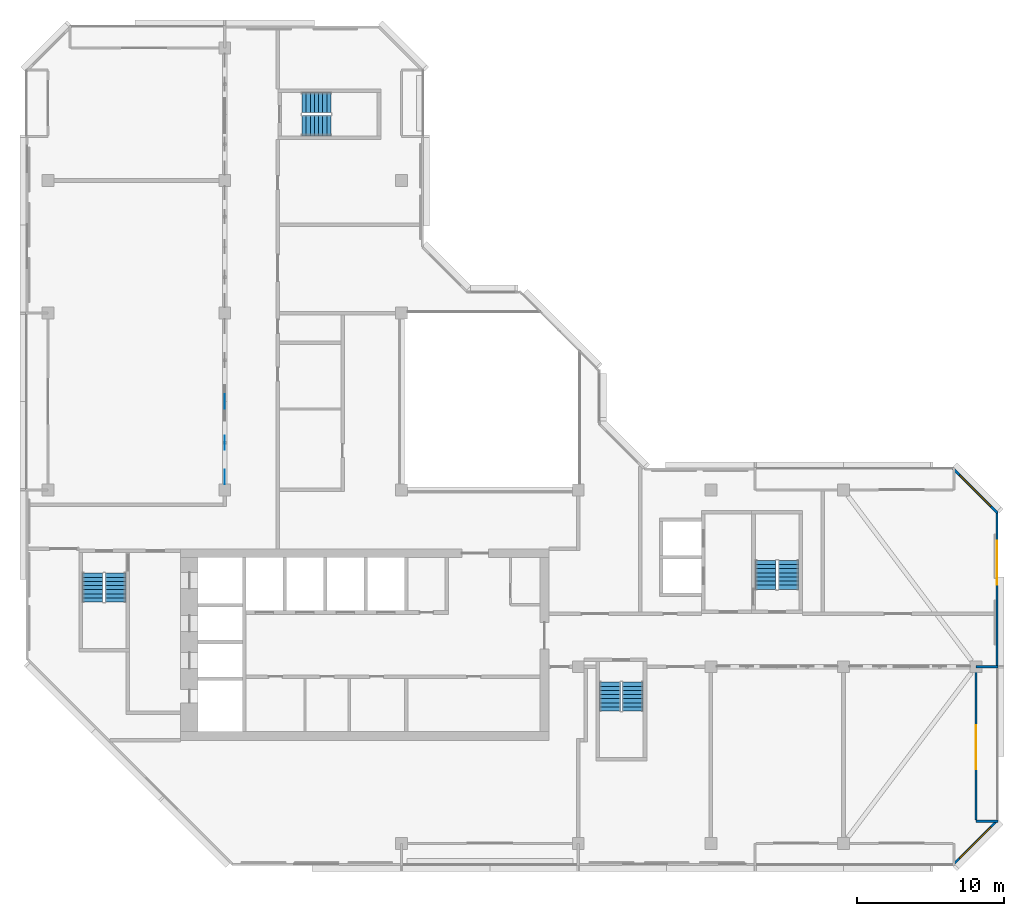
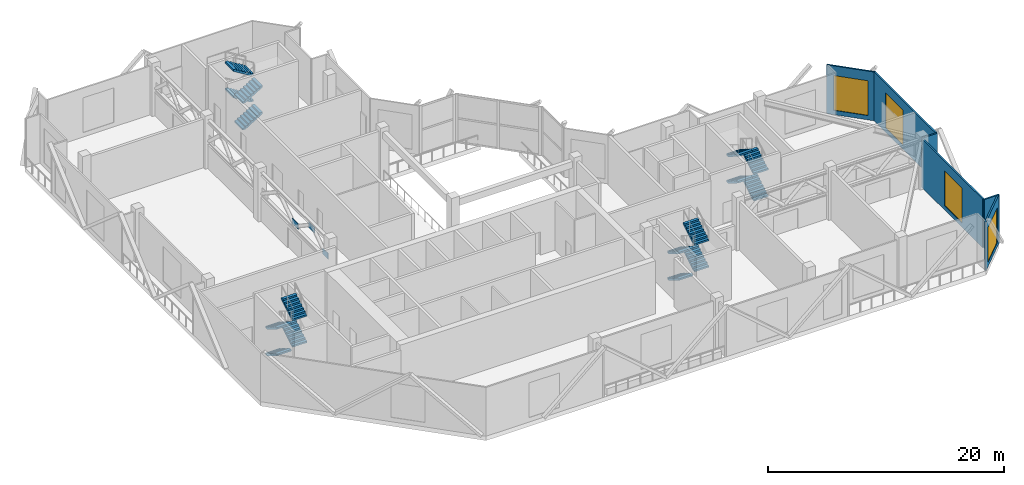
# One storey, part 9 of 13: 16 stair flights, 6 walls, 4 windows, 3 discrete accessories, 4 openings, 4 elements without a shape of their own.
"""IFC4 building model written with IfcOpenShell, lengths in metres."""

from ifc_helpers import new_model, si_unit, direction, frame, frame_2d, origin, place, context, subcontext, project, spatial, polyline, rectangle, outline, extrude, material, layer, layer_set, type_object, element, fill, aggregate, save


model = new_model("IFC4")

# Units and contexts
model_context = context("Model", 3, precision=1e-05, world=origin(), true_north=direction((0.0, 1.0)))
body_context = subcontext(model_context, "Body", "Model", "MODEL_VIEW")
ifc_project = project(units=[si_unit("LENGTHUNIT", "METRE"), si_unit("AREAUNIT", "SQUARE_METRE"), si_unit("VOLUMEUNIT", "CUBIC_METRE"), si_unit("PLANEANGLEUNIT", "RADIAN"), si_unit("MASSUNIT", "GRAM", prefix="KILO")], contexts=[model_context])

# Site, building, storey
site_placement = place(None, origin())
site = spatial("IfcSite", under=ifc_project, at=site_placement, CompositionType="ELEMENT")
building_placement = place(site_placement, origin())
building = spatial("IfcBuilding", under=site, at=building_placement, Name="Chenar Terraces", CompositionType="ELEMENT")
storey_placement = place(building_placement, frame((0.0, 0.0, 322.14990234375)))
storey = spatial("IfcBuildingStorey", under=building, at=storey_placement, Name="L76", CompositionType="ELEMENT", Elevation=322.14990234375)

# Wall, opening, window
ifc_material_1 = material(Name="Aluminium framed glazing", Category="aluminium")
ifc_layer_1 = layer(ifc_material_1, 0.14990234375)
ifc_layer_set_1 = layer_set([ifc_layer_1], Name="Aluminium framed glazing")
wall_type_1 = type_object("IfcWallType", Name="Glazed flush facade wall 150", PredefinedType="SOLIDWALL", material=ifc_layer_set_1)
wall_1_placement = place(storey_placement, frame((64.425048828125, 12.074951171875, 0.0), z_axis=(0.0, 0.0, 1.0), x_axis=(0.0, 1.0, 0.0)))
wall_1 = element("IfcWall", 1, at=wall_1_placement, inside=storey, type_object=wall_type_1, Name="Glazed flush facade wall", PredefinedType="SOLIDWALL", context=body_context, shape_type="SweptSolid", body=[
    extrude(rectangle(XDim=10.425048828125, YDim=0.14990234375, at=frame_2d((5.21240234375, 0.0))), origin(), (0.0, 0.0, 1.0), 5.050048828125),
])
opening_1_placement = place(wall_1_placement, frame((5.47509765625, 0.0, 0.449951171875)))
opening_1 = element("IfcOpeningElement", 2, at=opening_1_placement, cuts=wall_1, Name="Opening W300x360", PredefinedType="OPENING", context=body_context, shape_type="SweptSolid", body=[
    extrude(rectangle(XDim=3.0, YDim=3.60009765625, at=frame_2d((1.5, 1.800048828125))), frame((0.0, 0.0849609375, 0.0), z_axis=(0.0, -1.0, 0.0), x_axis=(1.0, 0.0, 0.0)), (0.0, 0.0, 1.0), 0.169921875),
])
ifc_material_2 = material(Name="Low emissivity double glazing, aluminium frame", Category="aluminium")
window_type = type_object("IfcWindowType", Name="Fixed light 3000 x 3600", PartitioningType="SINGLE_PANEL", PredefinedType="WINDOW", material=ifc_material_2)
window_1_placement = place(opening_1_placement, origin())
window_1 = element("IfcWindow", 3, at=window_1_placement, inside=storey, type_object=window_type, Name="Window", OverallHeight=3.60009765625, OverallWidth=3.0, PartitioningType="SINGLE_PANEL", PredefinedType="WINDOW", context=body_context, shape_type="SweptSolid", body=[
    extrude(rectangle(XDim=3.0, YDim=3.60009765625, at=frame_2d((1.5, 1.800048828125))), frame((0.0, 0.030029296875, 0.0), z_axis=(0.0, -1.0, 0.0), x_axis=(1.0, 0.0, 0.0)), (0.0, 0.0, 1.0), 0.06005859375),
])
fill(opening_1, window_1)

ifc_material_3 = material(Name="Aluminium framed glazing", Category="aluminium")
ifc_layer_2 = layer(ifc_material_3, 0.14990234375)
ifc_layer_set_2 = layer_set([ifc_layer_2], Name="Aluminium framed glazing")
wall_type_2 = type_object("IfcWallType", Name="Glazed loggia back wall 150", PredefinedType="SOLIDWALL", material=ifc_layer_set_2)
wall_2_placement = place(storey_placement, frame((63.0, 1.574951171875, 0.0), z_axis=(0.0, 0.0, 1.0), x_axis=(0.0, 1.0, 0.0)))
wall_2 = element("IfcWall", 4, at=wall_2_placement, inside=storey, type_object=wall_type_2, Name="Glazed loggia back wall", PredefinedType="SOLIDWALL", context=body_context, shape_type="SweptSolid", body=[
    extrude(rectangle(XDim=10.35009765625, YDim=0.14990234375, at=frame_2d((5.175048828125, 0.0))), origin(), (0.0, 0.0, 1.0), 5.050048828125),
])
opening_2_placement = place(wall_2_placement, frame((3.46240234375, 0.0, 0.449951171875)))
opening_2 = element("IfcOpeningElement", 5, at=opening_2_placement, cuts=wall_2, Name="Opening W300x360", PredefinedType="OPENING", context=body_context, shape_type="SweptSolid", body=[
    extrude(rectangle(XDim=3.0, YDim=3.60009765625, at=frame_2d((1.5, 1.800048828125))), frame((0.0, 0.0849609375, 0.0), z_axis=(0.0, -1.0, 0.0), x_axis=(1.0, 0.0, 0.0)), (0.0, 0.0, 1.0), 0.169921875),
])
window_2_placement = place(opening_2_placement, origin())
window_2 = element("IfcWindow", 6, at=window_2_placement, inside=storey, type_object=window_type, Name="Window", OverallHeight=3.60009765625, OverallWidth=3.0, PartitioningType="SINGLE_PANEL", PredefinedType="WINDOW", context=body_context, shape_type="SweptSolid", body=[
    extrude(rectangle(XDim=3.0, YDim=3.60009765625, at=frame_2d((1.5, 1.800048828125))), frame((0.0, 0.030029296875, 0.0), z_axis=(0.0, -1.0, 0.0), x_axis=(1.0, 0.0, 0.0)), (0.0, 0.0, 1.0), 0.06005859375),
])
fill(opening_2, window_2)

# Walls
ifc_material_4 = material(Name="Terracotta cladding on insulated backing", Category="masonry")
ifc_layer_3 = layer(ifc_material_4, 0.14990234375)
ifc_layer_set_3 = layer_set([ifc_layer_3], Name="Terracotta cladding on insulated backing")
wall_type_3 = type_object("IfcWallType", Name="Loggia return wall 150", PredefinedType="SOLIDWALL", material=ifc_layer_set_3)
for number, where, z_axis, x_axis, name in (
    (7, (64.5, 1.5, 0.0), (0.0, 0.0, 1.0), (-1.0, 0.0, 0.0), "Loggia return wall"),
    (8, (64.5, 12.0, 0.0), (0.0, 0.0, 1.0), (-1.0, 0.0, 0.0), "Loggia return wall"),
):
    element("IfcWall", number, at=place(storey_placement, frame(where, z_axis=z_axis, x_axis=x_axis)), inside=storey, type_object=wall_type_3, Name=name, PredefinedType="SOLIDWALL", context=body_context, shape_type="SweptSolid", body=[
        extrude(rectangle(XDim=1.5, YDim=0.14990234375, at=frame_2d((0.75, 0.0))), origin(), (0.0, 0.0, 1.0), 5.050048828125),
    ])

# Wall, opening, window
ifc_material_5 = material(Name="Terracotta cladding on insulated backing", Category="masonry")
ifc_layer_4 = layer(ifc_material_5, 0.14990234375)
ifc_layer_set_4 = layer_set([ifc_layer_4], Name="Terracotta cladding on insulated backing")
wall_type_4 = type_object("IfcWallType", Name="Terracotta rainscreen wall 150", PredefinedType="SOLIDWALL", material=ifc_layer_set_4)
wall_3_placement = place(storey_placement, frame((61.447021484375, -1.447021484375, 0.0), z_axis=(0.0, 0.0, 1.0), x_axis=(0.707106781187, 0.707106781187, 0.0)))
wall_3 = element("IfcWall", 9, at=wall_3_placement, inside=storey, type_object=wall_type_4, Name="Terracotta rainscreen wall", PredefinedType="SOLIDWALL", context=body_context, shape_type="SweptSolid", body=[
    extrude(rectangle(XDim=4.24267578125, YDim=0.14990234375, at=frame_2d((2.121337890625, 0.0))), origin(), (0.0, 0.0, 1.0), 5.050048828125),
])
opening_3_placement = place(wall_3_placement, frame((0.621337890625, 0.0, 0.449951171875)))
opening_3 = element("IfcOpeningElement", 10, at=opening_3_placement, cuts=wall_3, Name="Opening W300x360", PredefinedType="OPENING", context=body_context, shape_type="SweptSolid", body=[
    extrude(rectangle(XDim=3.0, YDim=3.60009765625, at=frame_2d((1.5, 1.800048828125))), frame((0.0, 0.0849609375, 0.0), z_axis=(0.0, -1.0, 0.0), x_axis=(1.0, 0.0, 0.0)), (0.0, 0.0, 1.0), 0.169921875),
])
window_3_placement = place(opening_3_placement, origin())
window_3 = element("IfcWindow", 11, at=window_3_placement, inside=storey, type_object=window_type, Name="Window", OverallHeight=3.60009765625, OverallWidth=3.0, PartitioningType="SINGLE_PANEL", PredefinedType="WINDOW", context=body_context, shape_type="SweptSolid", body=[
    extrude(rectangle(XDim=3.0, YDim=3.60009765625, at=frame_2d((1.5, 1.800048828125))), frame((0.0, 0.030029296875, 0.0), z_axis=(0.0, -1.0, 0.0), x_axis=(1.0, 0.0, 0.0)), (0.0, 0.0, 1.0), 0.06005859375),
])
fill(opening_3, window_3)

wall_4_placement = place(storey_placement, frame((64.447021484375, 22.447021484375, 0.0), z_axis=(0.0, 0.0, 1.0), x_axis=(-0.707106781187, 0.707106781187, 0.0)))
wall_4 = element("IfcWall", 12, at=wall_4_placement, inside=storey, type_object=wall_type_4, Name="Terracotta rainscreen wall", PredefinedType="SOLIDWALL", context=body_context, shape_type="SweptSolid", body=[
    extrude(rectangle(XDim=4.24267578125, YDim=0.14990234375, at=frame_2d((2.121337890625, 0.0))), origin(), (0.0, 0.0, 1.0), 5.050048828125),
])
opening_4_placement = place(wall_4_placement, frame((0.621337890625, 0.0, 0.449951171875)))
opening_4 = element("IfcOpeningElement", 13, at=opening_4_placement, cuts=wall_4, Name="Opening W300x360", PredefinedType="OPENING", context=body_context, shape_type="SweptSolid", body=[
    extrude(rectangle(XDim=3.0, YDim=3.60009765625, at=frame_2d((1.5, 1.800048828125))), frame((0.0, 0.0849609375, 0.0), z_axis=(0.0, -1.0, 0.0), x_axis=(1.0, 0.0, 0.0)), (0.0, 0.0, 1.0), 0.169921875),
])
window_4_placement = place(opening_4_placement, origin())
window_4 = element("IfcWindow", 14, at=window_4_placement, inside=storey, type_object=window_type, Name="Window", OverallHeight=3.60009765625, OverallWidth=3.0, PartitioningType="SINGLE_PANEL", PredefinedType="WINDOW", context=body_context, shape_type="SweptSolid", body=[
    extrude(rectangle(XDim=3.0, YDim=3.60009765625, at=frame_2d((1.5, 1.800048828125))), frame((0.0, 0.030029296875, 0.0), z_axis=(0.0, -1.0, 0.0), x_axis=(1.0, 0.0, 0.0)), (0.0, 0.0, 1.0), 0.06005859375),
])
fill(opening_4, window_4)

# Stair, stair flights
ifc_material_6 = material(Name="Reinforced concrete C40/50", Category="concrete")
stair_type = type_object("IfcStairType", Name="Core stair 1400 half-turn", PredefinedType="HALF_TURN_STAIR", material=ifc_material_6)
placement_1 = place(storey_placement, origin())
stair_1 = element("IfcStair", 15, at=placement_1, inside=storey, type_object=stair_type, Name="L76 Stair 1", PredefinedType="HALF_TURN_STAIR")
ifc_material_7 = material(Name="Reinforced concrete C40/50", Category="concrete")
stair_flight_type = type_object("IfcStairFlightType", Name="Core stair flight 1400", PredefinedType="STRAIGHT", material=ifc_material_7)
stair_flight_1_placement = place(storey_placement, frame((3.050048828125, 18.35009765625, 0.0), z_axis=(0.0, 0.0, 1.0), x_axis=(0.0, -1.0, 0.0)))
stair_flight_1 = element("IfcStairFlight", 16, at=stair_flight_1_placement, type_object=stair_flight_type, Name="ST1 flight 1", NumberOfRisers=8, NumberOfTreads=7, PredefinedType="STRAIGHT", RiserHeight=0.171875, TreadLength=0.28, context=body_context, shape_type="SweptSolid", body=[
    extrude(outline(polyline([(-0.0029296875, 0.0), (-0.0029296875, 0.171875), (0.0, 0.171875), (0.280029296875, 0.171875), (0.280029296875, 0.34375), (0.56005859375, 0.34375), (0.56005859375, 0.515625), (0.840087890625, 0.515625), (0.840087890625, 0.6875), (1.1201171875, 0.6875), (1.1201171875, 0.859375), (1.39990234375, 0.859375), (1.39990234375, 1.03125), (1.679931640625, 1.03125), (1.679931640625, 1.203125), (1.9599609375, 1.203125), (1.962890625, 1.203125), (1.962890625, 1.02734375), (1.9599609375, 1.02734375), (0.28662109375, 0.0), (-0.0029296875, 0.0)])), frame((0.0, 0.699951171875, 0.0), z_axis=(0.0, -1.0, 0.0), x_axis=(1.0, 0.0, 0.0)), (0.0, 0.0, 1.0), 1.39990234375),
])
stair_flight_2_placement = place(storey_placement, frame((4.60009765625, 16.389892578125, 1.375), z_axis=(0.0, 0.0, 1.0), x_axis=(0.0, 1.0, 0.0)))
stair_flight_2 = element("IfcStairFlight", 17, at=stair_flight_2_placement, type_object=stair_flight_type, Name="ST1 flight 2", NumberOfRisers=8, NumberOfTreads=7, PredefinedType="STRAIGHT", RiserHeight=0.171875, TreadLength=0.28, context=body_context, shape_type="SweptSolid", body=[
    extrude(outline(polyline([(-0.0029296875, 0.0), (-0.0029296875, 0.171875), (0.0, 0.171875), (0.280029296875, 0.171875), (0.280029296875, 0.34375), (0.56005859375, 0.34375), (0.56005859375, 0.515625), (0.840087890625, 0.515625), (0.840087890625, 0.6875), (1.1201171875, 0.6875), (1.1201171875, 0.859375), (1.39990234375, 0.859375), (1.39990234375, 1.03125), (1.679931640625, 1.03125), (1.679931640625, 1.203125), (1.9599609375, 1.203125), (1.962890625, 1.203125), (1.962890625, 1.02734375), (1.9599609375, 1.02734375), (0.28662109375, 0.0), (-0.0029296875, 0.0)])), frame((0.0, 0.699951171875, 0.0), z_axis=(0.0, -1.0, 0.0), x_axis=(1.0, 0.0, 0.0)), (0.0, 0.0, 1.0), 1.39990234375),
])
stair_flight_3_placement = place(storey_placement, frame((3.050048828125, 18.35009765625, 2.75), z_axis=(0.0, 0.0, 1.0), x_axis=(0.0, -1.0, 0.0)))
stair_flight_3 = element("IfcStairFlight", 18, at=stair_flight_3_placement, type_object=stair_flight_type, Name="ST1 flight 3", NumberOfRisers=8, NumberOfTreads=7, PredefinedType="STRAIGHT", RiserHeight=0.171875, TreadLength=0.28, context=body_context, shape_type="SweptSolid", body=[
    extrude(outline(polyline([(-0.0029296875, 0.0), (-0.0029296875, 0.171875), (0.0, 0.171875), (0.280029296875, 0.171875), (0.280029296875, 0.34375), (0.56005859375, 0.34375), (0.56005859375, 0.515625), (0.840087890625, 0.515625), (0.840087890625, 0.6875), (1.1201171875, 0.6875), (1.1201171875, 0.859375), (1.39990234375, 0.859375), (1.39990234375, 1.03125), (1.679931640625, 1.03125), (1.679931640625, 1.203125), (1.9599609375, 1.203125), (1.962890625, 1.203125), (1.962890625, 1.02734375), (1.9599609375, 1.02734375), (0.28662109375, 0.0), (-0.0029296875, 0.0)])), frame((0.0, 0.699951171875, 0.0), z_axis=(0.0, -1.0, 0.0), x_axis=(1.0, 0.0, 0.0)), (0.0, 0.0, 1.0), 1.39990234375),
])
stair_flight_4_placement = place(storey_placement, frame((4.60009765625, 16.389892578125, 4.125), z_axis=(0.0, 0.0, 1.0), x_axis=(0.0, 1.0, 0.0)))
stair_flight_4 = element("IfcStairFlight", 19, at=stair_flight_4_placement, type_object=stair_flight_type, Name="ST1 flight 4", NumberOfRisers=8, NumberOfTreads=7, PredefinedType="STRAIGHT", RiserHeight=0.171875, TreadLength=0.28, context=body_context, shape_type="SweptSolid", body=[
    extrude(outline(polyline([(-0.0029296875, 0.0), (-0.0029296875, 0.171875), (0.0, 0.171875), (0.280029296875, 0.171875), (0.280029296875, 0.34375), (0.56005859375, 0.34375), (0.56005859375, 0.515625), (0.840087890625, 0.515625), (0.840087890625, 0.6875), (1.1201171875, 0.6875), (1.1201171875, 0.859375), (1.39990234375, 0.859375), (1.39990234375, 1.03125), (1.679931640625, 1.03125), (1.679931640625, 1.203125), (1.9599609375, 1.203125), (1.962890625, 1.203125), (1.962890625, 1.02734375), (1.9599609375, 1.02734375), (0.28662109375, 0.0), (-0.0029296875, 0.0)])), frame((0.0, 0.699951171875, 0.0), z_axis=(0.0, -1.0, 0.0), x_axis=(1.0, 0.0, 0.0)), (0.0, 0.0, 1.0), 1.39990234375),
])
aggregate(stair_1, [stair_flight_1, stair_flight_2, stair_flight_3, stair_flight_4])

stair_2 = element("IfcStair", 20, at=placement_1, inside=storey, type_object=stair_type, Name="L76 Stair 2", PredefinedType="HALF_TURN_STAIR")
stair_flight_5_placement = place(storey_placement, frame((38.14990234375, 10.949951171875, 0.0), z_axis=(0.0, 0.0, 1.0), x_axis=(0.0, -1.0, 0.0)))
stair_flight_5 = element("IfcStairFlight", 21, at=stair_flight_5_placement, type_object=stair_flight_type, Name="ST2 flight 1", NumberOfRisers=8, NumberOfTreads=7, PredefinedType="STRAIGHT", RiserHeight=0.171875, TreadLength=0.28, context=body_context, shape_type="SweptSolid", body=[
    extrude(outline(polyline([(-0.0029296875, 0.0), (-0.0029296875, 0.171875), (0.0, 0.171875), (0.280029296875, 0.171875), (0.280029296875, 0.34375), (0.56005859375, 0.34375), (0.56005859375, 0.515625), (0.840087890625, 0.515625), (0.840087890625, 0.6875), (1.1201171875, 0.6875), (1.1201171875, 0.859375), (1.39990234375, 0.859375), (1.39990234375, 1.03125), (1.679931640625, 1.03125), (1.679931640625, 1.203125), (1.9599609375, 1.203125), (1.962890625, 1.203125), (1.962890625, 1.02734375), (1.9599609375, 1.02734375), (0.28662109375, 0.0), (-0.0029296875, 0.0)])), frame((0.0, 0.699951171875, 0.0), z_axis=(0.0, -1.0, 0.0), x_axis=(1.0, 0.0, 0.0)), (0.0, 0.0, 1.0), 1.39990234375),
])
stair_flight_6_placement = place(storey_placement, frame((39.699951171875, 8.989990234375, 1.375), z_axis=(0.0, 0.0, 1.0), x_axis=(0.0, 1.0, 0.0)))
stair_flight_6 = element("IfcStairFlight", 22, at=stair_flight_6_placement, type_object=stair_flight_type, Name="ST2 flight 2", NumberOfRisers=8, NumberOfTreads=7, PredefinedType="STRAIGHT", RiserHeight=0.171875, TreadLength=0.28, context=body_context, shape_type="SweptSolid", body=[
    extrude(outline(polyline([(-0.0029296875, 0.0), (-0.0029296875, 0.171875), (0.0, 0.171875), (0.280029296875, 0.171875), (0.280029296875, 0.34375), (0.56005859375, 0.34375), (0.56005859375, 0.515625), (0.840087890625, 0.515625), (0.840087890625, 0.6875), (1.1201171875, 0.6875), (1.1201171875, 0.859375), (1.39990234375, 0.859375), (1.39990234375, 1.03125), (1.679931640625, 1.03125), (1.679931640625, 1.203125), (1.9599609375, 1.203125), (1.962890625, 1.203125), (1.962890625, 1.02734375), (1.9599609375, 1.02734375), (0.28662109375, 0.0), (-0.0029296875, 0.0)])), frame((0.0, 0.699951171875, 0.0), z_axis=(0.0, -1.0, 0.0), x_axis=(1.0, 0.0, 0.0)), (0.0, 0.0, 1.0), 1.39990234375),
])
stair_flight_7_placement = place(storey_placement, frame((38.14990234375, 10.949951171875, 2.75), z_axis=(0.0, 0.0, 1.0), x_axis=(0.0, -1.0, 0.0)))
stair_flight_7 = element("IfcStairFlight", 23, at=stair_flight_7_placement, type_object=stair_flight_type, Name="ST2 flight 3", NumberOfRisers=8, NumberOfTreads=7, PredefinedType="STRAIGHT", RiserHeight=0.171875, TreadLength=0.28, context=body_context, shape_type="SweptSolid", body=[
    extrude(outline(polyline([(-0.0029296875, 0.0), (-0.0029296875, 0.171875), (0.0, 0.171875), (0.280029296875, 0.171875), (0.280029296875, 0.34375), (0.56005859375, 0.34375), (0.56005859375, 0.515625), (0.840087890625, 0.515625), (0.840087890625, 0.6875), (1.1201171875, 0.6875), (1.1201171875, 0.859375), (1.39990234375, 0.859375), (1.39990234375, 1.03125), (1.679931640625, 1.03125), (1.679931640625, 1.203125), (1.9599609375, 1.203125), (1.962890625, 1.203125), (1.962890625, 1.02734375), (1.9599609375, 1.02734375), (0.28662109375, 0.0), (-0.0029296875, 0.0)])), frame((0.0, 0.699951171875, 0.0), z_axis=(0.0, -1.0, 0.0), x_axis=(1.0, 0.0, 0.0)), (0.0, 0.0, 1.0), 1.39990234375),
])
stair_flight_8_placement = place(storey_placement, frame((39.699951171875, 8.989990234375, 4.125), z_axis=(0.0, 0.0, 1.0), x_axis=(0.0, 1.0, 0.0)))
stair_flight_8 = element("IfcStairFlight", 24, at=stair_flight_8_placement, type_object=stair_flight_type, Name="ST2 flight 4", NumberOfRisers=8, NumberOfTreads=7, PredefinedType="STRAIGHT", RiserHeight=0.171875, TreadLength=0.28, context=body_context, shape_type="SweptSolid", body=[
    extrude(outline(polyline([(-0.0029296875, 0.0), (-0.0029296875, 0.171875), (0.0, 0.171875), (0.280029296875, 0.171875), (0.280029296875, 0.34375), (0.56005859375, 0.34375), (0.56005859375, 0.515625), (0.840087890625, 0.515625), (0.840087890625, 0.6875), (1.1201171875, 0.6875), (1.1201171875, 0.859375), (1.39990234375, 0.859375), (1.39990234375, 1.03125), (1.679931640625, 1.03125), (1.679931640625, 1.203125), (1.9599609375, 1.203125), (1.962890625, 1.203125), (1.962890625, 1.02734375), (1.9599609375, 1.02734375), (0.28662109375, 0.0), (-0.0029296875, 0.0)])), frame((0.0, 0.699951171875, 0.0), z_axis=(0.0, -1.0, 0.0), x_axis=(1.0, 0.0, 0.0)), (0.0, 0.0, 1.0), 1.39990234375),
])
aggregate(stair_2, [stair_flight_5, stair_flight_6, stair_flight_7, stair_flight_8])

stair_3 = element("IfcStair", 25, at=placement_1, inside=storey, type_object=stair_type, Name="L76 Stair 3", PredefinedType="HALF_TURN_STAIR")
stair_flight_9_placement = place(storey_placement, frame((50.27490234375, 17.25, 0.0), z_axis=(0.0, 0.0, 1.0), x_axis=(0.0, 1.0, 0.0)))
stair_flight_9 = element("IfcStairFlight", 26, at=stair_flight_9_placement, type_object=stair_flight_type, Name="ST3 flight 1", NumberOfRisers=8, NumberOfTreads=7, PredefinedType="STRAIGHT", RiserHeight=0.171875, TreadLength=0.28, context=body_context, shape_type="SweptSolid", body=[
    extrude(outline(polyline([(-0.0029296875, 0.0), (-0.0029296875, 0.171875), (0.0, 0.171875), (0.280029296875, 0.171875), (0.280029296875, 0.34375), (0.56005859375, 0.34375), (0.56005859375, 0.515625), (0.840087890625, 0.515625), (0.840087890625, 0.6875), (1.1201171875, 0.6875), (1.1201171875, 0.859375), (1.39990234375, 0.859375), (1.39990234375, 1.03125), (1.679931640625, 1.03125), (1.679931640625, 1.203125), (1.9599609375, 1.203125), (1.962890625, 1.203125), (1.962890625, 1.02734375), (1.9599609375, 1.02734375), (0.28662109375, 0.0), (-0.0029296875, 0.0)])), frame((0.0, 0.699951171875, 0.0), z_axis=(0.0, -1.0, 0.0), x_axis=(1.0, 0.0, 0.0)), (0.0, 0.0, 1.0), 1.39990234375),
])
stair_flight_10_placement = place(storey_placement, frame((48.72509765625, 19.2099609375, 1.375), z_axis=(0.0, 0.0, 1.0), x_axis=(0.0, -1.0, 0.0)))
stair_flight_10 = element("IfcStairFlight", 27, at=stair_flight_10_placement, type_object=stair_flight_type, Name="ST3 flight 2", NumberOfRisers=8, NumberOfTreads=7, PredefinedType="STRAIGHT", RiserHeight=0.171875, TreadLength=0.28, context=body_context, shape_type="SweptSolid", body=[
    extrude(outline(polyline([(-0.0029296875, 0.0), (-0.0029296875, 0.171875), (0.0, 0.171875), (0.280029296875, 0.171875), (0.280029296875, 0.34375), (0.56005859375, 0.34375), (0.56005859375, 0.515625), (0.840087890625, 0.515625), (0.840087890625, 0.6875), (1.1201171875, 0.6875), (1.1201171875, 0.859375), (1.39990234375, 0.859375), (1.39990234375, 1.03125), (1.679931640625, 1.03125), (1.679931640625, 1.203125), (1.9599609375, 1.203125), (1.962890625, 1.203125), (1.962890625, 1.02734375), (1.9599609375, 1.02734375), (0.28662109375, 0.0), (-0.0029296875, 0.0)])), frame((0.0, 0.699951171875, 0.0), z_axis=(0.0, -1.0, 0.0), x_axis=(1.0, 0.0, 0.0)), (0.0, 0.0, 1.0), 1.39990234375),
])
stair_flight_11_placement = place(storey_placement, frame((50.27490234375, 17.25, 2.75), z_axis=(0.0, 0.0, 1.0), x_axis=(0.0, 1.0, 0.0)))
stair_flight_11 = element("IfcStairFlight", 28, at=stair_flight_11_placement, type_object=stair_flight_type, Name="ST3 flight 3", NumberOfRisers=8, NumberOfTreads=7, PredefinedType="STRAIGHT", RiserHeight=0.171875, TreadLength=0.28, context=body_context, shape_type="SweptSolid", body=[
    extrude(outline(polyline([(-0.0029296875, 0.0), (-0.0029296875, 0.171875), (0.0, 0.171875), (0.280029296875, 0.171875), (0.280029296875, 0.34375), (0.56005859375, 0.34375), (0.56005859375, 0.515625), (0.840087890625, 0.515625), (0.840087890625, 0.6875), (1.1201171875, 0.6875), (1.1201171875, 0.859375), (1.39990234375, 0.859375), (1.39990234375, 1.03125), (1.679931640625, 1.03125), (1.679931640625, 1.203125), (1.9599609375, 1.203125), (1.962890625, 1.203125), (1.962890625, 1.02734375), (1.9599609375, 1.02734375), (0.28662109375, 0.0), (-0.0029296875, 0.0)])), frame((0.0, 0.699951171875, 0.0), z_axis=(0.0, -1.0, 0.0), x_axis=(1.0, 0.0, 0.0)), (0.0, 0.0, 1.0), 1.39990234375),
])
stair_flight_12_placement = place(storey_placement, frame((48.72509765625, 19.2099609375, 4.125), z_axis=(0.0, 0.0, 1.0), x_axis=(0.0, -1.0, 0.0)))
stair_flight_12 = element("IfcStairFlight", 29, at=stair_flight_12_placement, type_object=stair_flight_type, Name="ST3 flight 4", NumberOfRisers=8, NumberOfTreads=7, PredefinedType="STRAIGHT", RiserHeight=0.171875, TreadLength=0.28, context=body_context, shape_type="SweptSolid", body=[
    extrude(outline(polyline([(-0.0029296875, 0.0), (-0.0029296875, 0.171875), (0.0, 0.171875), (0.280029296875, 0.171875), (0.280029296875, 0.34375), (0.56005859375, 0.34375), (0.56005859375, 0.515625), (0.840087890625, 0.515625), (0.840087890625, 0.6875), (1.1201171875, 0.6875), (1.1201171875, 0.859375), (1.39990234375, 0.859375), (1.39990234375, 1.03125), (1.679931640625, 1.03125), (1.679931640625, 1.203125), (1.9599609375, 1.203125), (1.962890625, 1.203125), (1.962890625, 1.02734375), (1.9599609375, 1.02734375), (0.28662109375, 0.0), (-0.0029296875, 0.0)])), frame((0.0, 0.699951171875, 0.0), z_axis=(0.0, -1.0, 0.0), x_axis=(1.0, 0.0, 0.0)), (0.0, 0.0, 1.0), 1.39990234375),
])
aggregate(stair_3, [stair_flight_9, stair_flight_10, stair_flight_11, stair_flight_12])

stair_4 = element("IfcStair", 30, at=placement_1, inside=storey, type_object=stair_type, Name="L76 Stair 4", PredefinedType="HALF_TURN_STAIR")
stair_flight_13_placement = place(storey_placement, frame((17.25, 48.72509765625, 0.0), z_axis=(0.0, 0.0, 1.0), x_axis=(1.0, 0.0, 0.0)))
stair_flight_13 = element("IfcStairFlight", 31, at=stair_flight_13_placement, type_object=stair_flight_type, Name="ST4 flight 1", NumberOfRisers=8, NumberOfTreads=7, PredefinedType="STRAIGHT", RiserHeight=0.171875, TreadLength=0.28, context=body_context, shape_type="SweptSolid", body=[
    extrude(outline(polyline([(-0.0029296875, 0.0), (-0.0029296875, 0.171875), (0.0, 0.171875), (0.280029296875, 0.171875), (0.280029296875, 0.34375), (0.56005859375, 0.34375), (0.56005859375, 0.515625), (0.840087890625, 0.515625), (0.840087890625, 0.6875), (1.1201171875, 0.6875), (1.1201171875, 0.859375), (1.39990234375, 0.859375), (1.39990234375, 1.03125), (1.679931640625, 1.03125), (1.679931640625, 1.203125), (1.9599609375, 1.203125), (1.962890625, 1.203125), (1.962890625, 1.02734375), (1.9599609375, 1.02734375), (0.28662109375, 0.0), (-0.0029296875, 0.0)])), frame((0.0, 0.699951171875, 0.0), z_axis=(0.0, -1.0, 0.0), x_axis=(1.0, 0.0, 0.0)), (0.0, 0.0, 1.0), 1.39990234375),
])
stair_flight_14_placement = place(storey_placement, frame((19.2099609375, 50.27490234375, 1.375), z_axis=(0.0, 0.0, 1.0), x_axis=(-1.0, 0.0, 0.0)))
stair_flight_14 = element("IfcStairFlight", 32, at=stair_flight_14_placement, type_object=stair_flight_type, Name="ST4 flight 2", NumberOfRisers=8, NumberOfTreads=7, PredefinedType="STRAIGHT", RiserHeight=0.171875, TreadLength=0.28, context=body_context, shape_type="SweptSolid", body=[
    extrude(outline(polyline([(-0.0029296875, 0.0), (-0.0029296875, 0.171875), (0.0, 0.171875), (0.280029296875, 0.171875), (0.280029296875, 0.34375), (0.56005859375, 0.34375), (0.56005859375, 0.515625), (0.840087890625, 0.515625), (0.840087890625, 0.6875), (1.1201171875, 0.6875), (1.1201171875, 0.859375), (1.39990234375, 0.859375), (1.39990234375, 1.03125), (1.679931640625, 1.03125), (1.679931640625, 1.203125), (1.9599609375, 1.203125), (1.962890625, 1.203125), (1.962890625, 1.02734375), (1.9599609375, 1.02734375), (0.28662109375, 0.0), (-0.0029296875, 0.0)])), frame((0.0, 0.699951171875, 0.0), z_axis=(0.0, -1.0, 0.0), x_axis=(1.0, 0.0, 0.0)), (0.0, 0.0, 1.0), 1.39990234375),
])
stair_flight_15_placement = place(storey_placement, frame((17.25, 48.72509765625, 2.75), z_axis=(0.0, 0.0, 1.0), x_axis=(1.0, 0.0, 0.0)))
stair_flight_15 = element("IfcStairFlight", 33, at=stair_flight_15_placement, type_object=stair_flight_type, Name="ST4 flight 3", NumberOfRisers=8, NumberOfTreads=7, PredefinedType="STRAIGHT", RiserHeight=0.171875, TreadLength=0.28, context=body_context, shape_type="SweptSolid", body=[
    extrude(outline(polyline([(-0.0029296875, 0.0), (-0.0029296875, 0.171875), (0.0, 0.171875), (0.280029296875, 0.171875), (0.280029296875, 0.34375), (0.56005859375, 0.34375), (0.56005859375, 0.515625), (0.840087890625, 0.515625), (0.840087890625, 0.6875), (1.1201171875, 0.6875), (1.1201171875, 0.859375), (1.39990234375, 0.859375), (1.39990234375, 1.03125), (1.679931640625, 1.03125), (1.679931640625, 1.203125), (1.9599609375, 1.203125), (1.962890625, 1.203125), (1.962890625, 1.02734375), (1.9599609375, 1.02734375), (0.28662109375, 0.0), (-0.0029296875, 0.0)])), frame((0.0, 0.699951171875, 0.0), z_axis=(0.0, -1.0, 0.0), x_axis=(1.0, 0.0, 0.0)), (0.0, 0.0, 1.0), 1.39990234375),
])
stair_flight_16_placement = place(storey_placement, frame((19.2099609375, 50.27490234375, 4.125), z_axis=(0.0, 0.0, 1.0), x_axis=(-1.0, 0.0, 0.0)))
stair_flight_16 = element("IfcStairFlight", 34, at=stair_flight_16_placement, type_object=stair_flight_type, Name="ST4 flight 4", NumberOfRisers=8, NumberOfTreads=7, PredefinedType="STRAIGHT", RiserHeight=0.171875, TreadLength=0.28, context=body_context, shape_type="SweptSolid", body=[
    extrude(outline(polyline([(-0.0029296875, 0.0), (-0.0029296875, 0.171875), (0.0, 0.171875), (0.280029296875, 0.171875), (0.280029296875, 0.34375), (0.56005859375, 0.34375), (0.56005859375, 0.515625), (0.840087890625, 0.515625), (0.840087890625, 0.6875), (1.1201171875, 0.6875), (1.1201171875, 0.859375), (1.39990234375, 0.859375), (1.39990234375, 1.03125), (1.679931640625, 1.03125), (1.679931640625, 1.203125), (1.9599609375, 1.203125), (1.962890625, 1.203125), (1.962890625, 1.02734375), (1.9599609375, 1.02734375), (0.28662109375, 0.0), (-0.0029296875, 0.0)])), frame((0.0, 0.699951171875, 0.0), z_axis=(0.0, -1.0, 0.0), x_axis=(1.0, 0.0, 0.0)), (0.0, 0.0, 1.0), 1.39990234375),
])
aggregate(stair_4, [stair_flight_13, stair_flight_14, stair_flight_15, stair_flight_16])

# Discrete accessories
ifc_material_8 = material(Name="Structural steel S355", Category="steel")
ifc_layer_5 = layer(ifc_material_8, 0.02490234375)
ifc_layer_set_5 = layer_set([ifc_layer_5], Name="Structural steel S355")
discrete_accessory_type = type_object("IfcDiscreteAccessoryType", Name="Gusset plate 25 S355", PredefinedType="BRACKET", material=ifc_layer_set_5)
placement_2 = place(storey_placement, frame((0.0, 0.0, 2.800048828125)))
element("IfcDiscreteAccessory", 35, at=placement_2, inside=storey, type_object=discrete_accessory_type, Name="Gusset plate L76 B1 node 0", PredefinedType="BRACKET", context=body_context, shape_type="SweptSolid", body=[
    extrude(outline(polyline([(12.012451171875, 24.39990234375), (12.012451171875, 25.381103515625), (11.987548828125, 25.381103515625), (11.987548828125, 24.39990234375), (12.012451171875, 24.39990234375)])), origin(), (0.0, 0.0, 1.0), 0.610107421875),
])
discrete_accessory_2_placement = place(storey_placement, frame((0.0, 0.0, 4.090087890625)))
element("IfcDiscreteAccessory", 36, at=discrete_accessory_2_placement, inside=storey, type_object=discrete_accessory_type, Name="Gusset plate L76 B1 node 1", PredefinedType="BRACKET", context=body_context, shape_type="SweptSolid", body=[
    extrude(outline(polyline([(12.012451171875, 26.70947265625), (12.012451171875, 27.6904296875), (11.987548828125, 27.6904296875), (11.987548828125, 26.70947265625), (12.012451171875, 26.70947265625)])), origin(), (0.0, 0.0, 1.0), 0.610107421875),
])
element("IfcDiscreteAccessory", 37, at=placement_2, inside=storey, type_object=discrete_accessory_type, Name="Gusset plate L76 B1 node 2", PredefinedType="BRACKET", context=body_context, shape_type="SweptSolid", body=[
    extrude(outline(polyline([(12.012451171875, 29.509521484375), (12.012451171875, 30.490478515625), (11.987548828125, 30.490478515625), (11.987548828125, 29.509521484375), (12.012451171875, 29.509521484375)])), origin(), (0.0, 0.0, 1.0), 0.610107421875),
])

save(model, "model.ifc")
